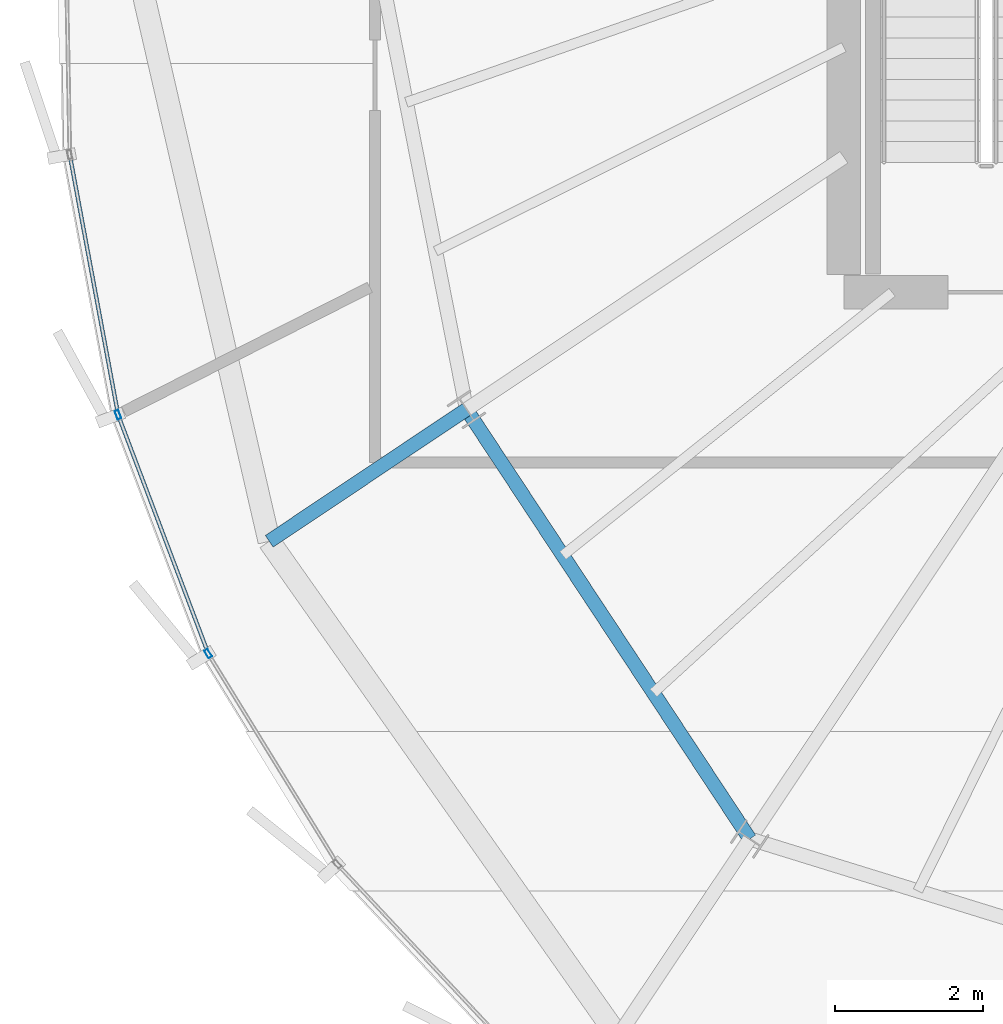
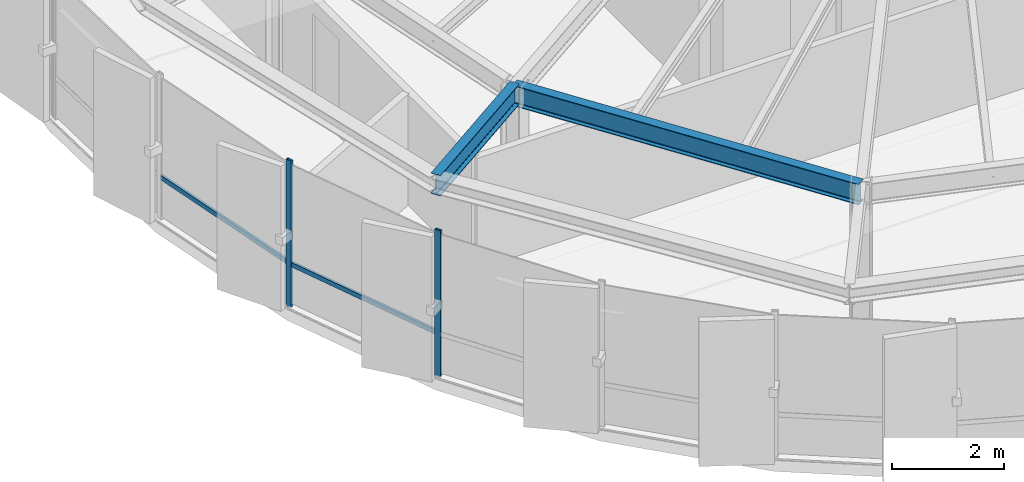
# One storey, part 4 of 32: 4 members, 2 beams, 1 element without a shape of its own.
"""IFC4 building model written with IfcOpenShell, lengths in metres."""

from ifc_helpers import new_model, si_unit, direction, frame, origin, origin_2d, place, context, subcontext, project, spatial, hollow_rectangle, i_section, extrude, source, transform, mapped, material, layer, layer_set, material_profile, profile_set, type_object, element, aggregate, save


model = new_model("IFC4")

# Units and contexts
model_context = context("Model", 3, precision=1e-05, world=origin(), true_north=direction((0.0, 1.0)))
body_context = subcontext(model_context, "Body", "Model", "MODEL_VIEW")
ifc_project = project(units=[si_unit("LENGTHUNIT", "METRE"), si_unit("AREAUNIT", "SQUARE_METRE"), si_unit("VOLUMEUNIT", "CUBIC_METRE"), si_unit("PLANEANGLEUNIT", "RADIAN"), si_unit("MASSUNIT", "GRAM", prefix="KILO"), si_unit("THERMODYNAMICTEMPERATUREUNIT", "KELVIN")], contexts=[model_context])

# Site, building, storey
site_placement = place(None, origin())
site = spatial("IfcSite", under=ifc_project, at=site_placement, CompositionType="ELEMENT")
building_placement = place(site_placement, origin())
building = spatial("IfcBuilding", under=site, at=building_placement, Name="Kethvar Cultural Tower", CompositionType="ELEMENT")
storey_placement = place(building_placement, frame((0.0, 0.0, 280.14990234375)))
storey = spatial("IfcBuildingStorey", under=building, at=storey_placement, Name="L74", CompositionType="ELEMENT", Elevation=280.14990234375)

# Beams
ifc_material_1 = material(Name="Steel S355J2", Category="steel")
ifc_material_profile_1 = material_profile(ifc_material_1, i_section(OverallWidth=0.18994140625, OverallDepth=0.449951171875, WebThickness=0.009521484375, FlangeThickness=0.0146484375, FilletRadius=0.02099609375, at=origin_2d()), Name="Steel S355J2 — IPE450")
ifc_profile_set_1 = profile_set([ifc_material_profile_1], Name="Steel S355J2 — IPE450")
beam_type = type_object("IfcBeamType", Name="BM-IPE450", PredefinedType="BEAM", material=ifc_profile_set_1)
shared_shape_1 = source(origin(), body_context, "Body", "SweptSolid", [
    extrude(i_section(OverallWidth=0.18994140625, OverallDepth=0.449951171875, WebThickness=0.009521484375, FlangeThickness=0.0146484375, FilletRadius=0.02099609375, at=origin_2d()), origin(), (0.0, 0.0, 1.0), 3.199951171875),
])
beam_1_placement = place(storey_placement, frame((32.912841796875, 18.52099609375, 2.983154296875), z_axis=(-0.831462943996, -0.555580212716, 0.0), x_axis=(0.555580212716, -0.831462943996, 0.0)))
element("IfcBeam", 1, at=beam_1_placement, inside=storey, type_object=beam_type, Name="L74 Perimeter Cantilever Beam RC-10", PredefinedType="BEAM", context=body_context, shape_type="MappedRepresentation", body=[
    mapped(shared_shape_1, transform((0.0, 0.0, 0.0), scale=1.0)),
])
shared_shape_2 = source(origin(), body_context, "Body", "SweptSolid", [
    extrude(i_section(OverallWidth=0.18994140625, OverallDepth=0.449951171875, WebThickness=0.009521484375, FlangeThickness=0.0146484375, FilletRadius=0.02099609375, at=origin_2d()), origin(), (0.0, 0.0, 1.0), 6.935791015625),
])
beam_2_placement = place(storey_placement, frame((32.912841796875, 18.52099609375, 2.983154296875), z_axis=(0.550534204139, -0.834812607759, 0.0), x_axis=(0.834812607759, 0.550534204139, 0.0)))
element("IfcBeam", 2, at=beam_2_placement, inside=storey, type_object=beam_type, Name="L74 Column Ring Tie Beam CR-10", PredefinedType="BEAM", context=body_context, shape_type="MappedRepresentation", body=[
    mapped(shared_shape_2, transform((0.0, 0.0, 0.0), scale=1.0)),
])

# Curtain wall, members
ifc_material_2 = material(Name="Aluminium 6063-T6", Category="aluminium")
ifc_layer = layer(ifc_material_2, 0.179931640625, Name="Aluminium 6063-T6", Category="aluminium")
ifc_layer_set = layer_set([ifc_layer], Name="Aluminium 6063-T6 (180 mm)")
curtain_wall_type = type_object("IfcCurtainWallType", Name="CW-SYS-05-Z56", PredefinedType="NOTDEFINED", material=ifc_layer_set)
curtain_wall_placement = place(storey_placement, origin())
curtain_wall = element("IfcCurtainWall", 3, at=curtain_wall_placement, inside=storey, type_object=curtain_wall_type, Name="L74 Curtain Wall Run 03", PredefinedType="NOTDEFINED")
ifc_material_profile_2 = material_profile(ifc_material_2, hollow_rectangle(XDim=0.054931640625, YDim=0.1201171875, WallThickness=0.00390625, at=origin_2d()), Name="Aluminium 6063-T6 — RHS120x55x4")
ifc_profile_set_2 = profile_set([ifc_material_profile_2], Name="Aluminium 6063-T6 — RHS120x55x4")
member_type_1 = type_object("IfcMemberType", Name="CW-SYS-05-Z56-MUL", PredefinedType="MULLION", material=ifc_profile_set_2)
shared_shape_3 = source(origin(), body_context, "Body", "SweptSolid", [
    extrude(hollow_rectangle(XDim=0.054931640625, YDim=0.1201171875, WallThickness=0.00390625, at=origin_2d()), origin(), (0.0, 0.0, 1.0), 3.210205078125),
])
member_1_placement = place(storey_placement, frame((28.21484375, 18.4501953125, 0.0), z_axis=(0.0, 0.0, 1.0), x_axis=(0.935450199987, 0.353458517147, 0.0)))
member_1 = element("IfcMember", 4, at=member_1_placement, type_object=member_type_1, Name="CW-L74-R03 Mullion 3", PredefinedType="MULLION", context=body_context, shape_type="MappedRepresentation", body=[
    mapped(shared_shape_3, transform((0.0, 0.0, 0.0), scale=1.0)),
])
member_2_placement = place(storey_placement, frame((29.4296875, 15.229736328125, 0.0), z_axis=(0.0, 0.0, 1.0), x_axis=(0.852028587072, 0.523495259589, 0.0)))
member_2 = element("IfcMember", 5, at=member_2_placement, type_object=member_type_1, Name="CW-L74-R03 Mullion 4", PredefinedType="MULLION", context=body_context, shape_type="MappedRepresentation", body=[
    mapped(shared_shape_3, transform((0.0, 0.0, 0.0), scale=1.0)),
])
ifc_material_profile_3 = material_profile(ifc_material_2, hollow_rectangle(XDim=0.050048828125, YDim=0.10009765625, WallThickness=0.00390625, at=origin_2d()), Name="Aluminium 6063-T6 — RHS100x50x4")
ifc_profile_set_3 = profile_set([ifc_material_profile_3], Name="Aluminium 6063-T6 — RHS100x50x4")
member_type_2 = type_object("IfcMemberType", Name="CW-SYS-05-Z56-TRN", PredefinedType="USERDEFINED", material=ifc_profile_set_3)
shared_shape_4 = source(origin(), body_context, "Body", "SweptSolid", [
    extrude(hollow_rectangle(XDim=0.050048828125, YDim=0.10009765625, WallThickness=0.00390625, at=origin_2d()), origin(), (0.0, 0.0, 1.0), 3.504150390625),
])
member_3_placement = place(storey_placement, frame((27.5712890625, 21.917236328125, 0.9501953125), z_axis=(0.182954897169, -0.983121307674, 0.0), x_axis=(0.983121307674, 0.182954897169, 0.0)))
member_3 = element("IfcMember", 6, at=member_3_placement, type_object=member_type_2, Name="CW-L74-R03 Transom 2", ObjectType="TRANSOM", PredefinedType="USERDEFINED", context=body_context, shape_type="MappedRepresentation", body=[
    mapped(shared_shape_4, transform((0.0, 0.0, 0.0), scale=1.0)),
])
shared_shape_5 = source(origin(), body_context, "Body", "SweptSolid", [
    extrude(hollow_rectangle(XDim=0.050048828125, YDim=0.10009765625, WallThickness=0.00390625, at=origin_2d()), origin(), (0.0, 0.0, 1.0), 3.3818359375),
])
member_4_placement = place(storey_placement, frame((28.228759765625, 18.413330078125, 0.9501953125), z_axis=(0.353448300581, -0.935454060238, 0.0), x_axis=(0.935454060238, 0.353448300581, 0.0)))
member_4 = element("IfcMember", 7, at=member_4_placement, type_object=member_type_2, Name="CW-L74-R03 Transom 3", ObjectType="TRANSOM", PredefinedType="USERDEFINED", context=body_context, shape_type="MappedRepresentation", body=[
    mapped(shared_shape_5, transform((0.0, 0.0, 0.0), scale=1.0)),
])
aggregate(curtain_wall, [member_1, member_2, member_3, member_4])

save(model, "model.ifc")
